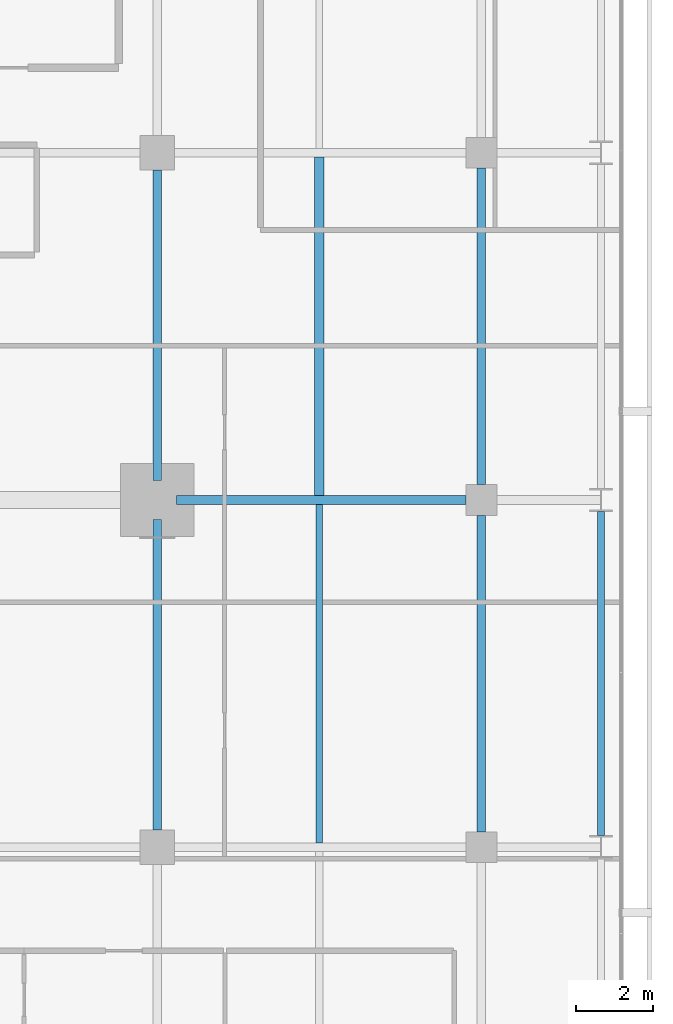
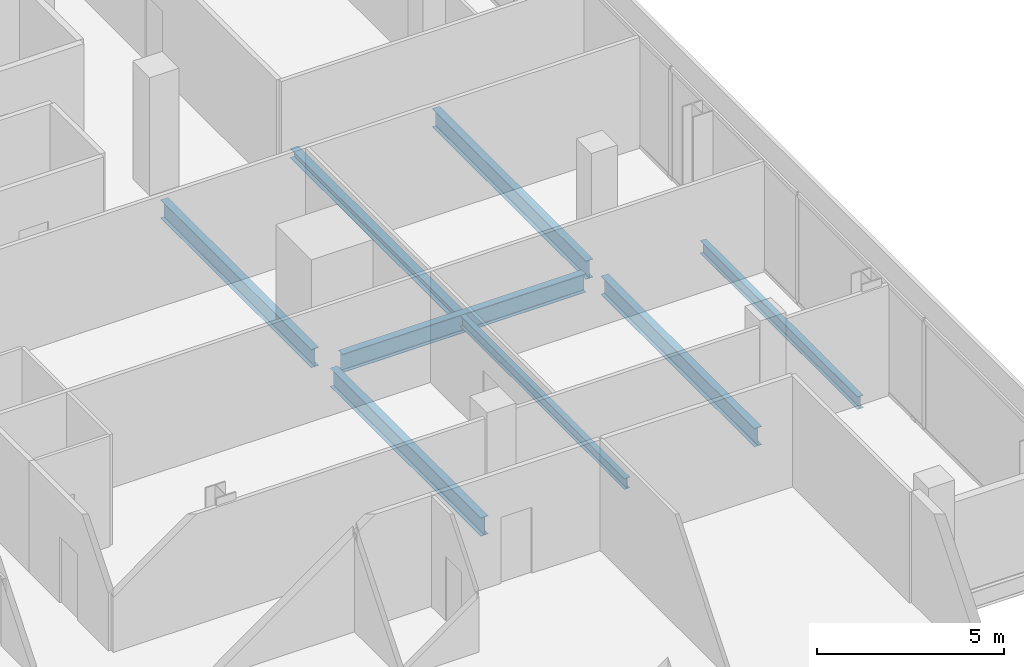
# One storey, part 16 of 32: 8 beams.
"""IFC4 building model written with IfcOpenShell, lengths in metres."""

from ifc_helpers import new_model, si_unit, direction, frame, origin, origin_2d, place, context, subcontext, project, spatial, i_section, extrude, material, material_profile, profile_set, type_object, element, save


model = new_model("IFC4")

# Units and contexts
model_context = context("Model", 3, precision=1e-05, world=origin(), true_north=direction((0.0, 1.0)))
body_context = subcontext(model_context, "Body", "Model", "MODEL_VIEW")
ifc_project = project(units=[si_unit("LENGTHUNIT", "METRE"), si_unit("AREAUNIT", "SQUARE_METRE"), si_unit("VOLUMEUNIT", "CUBIC_METRE"), si_unit("PLANEANGLEUNIT", "RADIAN"), si_unit("MASSUNIT", "GRAM", prefix="KILO")], contexts=[model_context])

# Site, building, storey
site_placement = place(None, origin())
site = spatial("IfcSite", under=ifc_project, at=site_placement, CompositionType="ELEMENT")
building_placement = place(site_placement, origin())
building = spatial("IfcBuilding", under=site, at=building_placement, Name="Maruvema Waterfront Hotel and Observation Tower", CompositionType="ELEMENT")
storey_placement = place(building_placement, frame((0.0, 0.0, 165.89990234375)))
storey = spatial("IfcBuildingStorey", under=building, at=storey_placement, Name="L40", CompositionType="ELEMENT", Elevation=165.89990234375)

# Beams
ifc_material_1 = material(Name="Steel ASTM A572 Grade 50", Category="steel")
ifc_material_profile_1 = material_profile(ifc_material_1, i_section(OverallWidth=0.180908203125, OverallDepth=0.4169921875, WebThickness=0.010986328125, FlangeThickness=0.018310546875, FilletRadius=0.014892578125, at=origin_2d()), Name="W410x85.0")
ifc_profile_set_1 = profile_set([ifc_material_profile_1], Name="Steel ASTM A572 Grade 50")
beam_type_1 = type_object("IfcBeamType", Name="Perimeter Spandrel Beam W410x85.0", PredefinedType="SPANDREL", material=ifc_profile_set_1)
beam_1_placement = place(storey_placement, frame((61.89990234375, 18.300048828125, -0.448486328125), z_axis=(0.0, 1.0, 0.0), x_axis=(-1.0, 0.0, 0.0)))
element("IfcBeam", 1, at=beam_1_placement, inside=storey, type_object=beam_type_1, Name="L40 Floor Girder NS-30", PredefinedType="SPANDREL", context=body_context, shape_type="SweptSolid", body=[
    extrude(i_section(OverallWidth=0.180908203125, OverallDepth=0.4169921875, WebThickness=0.010986328125, FlangeThickness=0.018310546875, FilletRadius=0.014892578125, at=origin_2d()), origin(), (0.0, 0.0, 1.0), 8.39990234375),
])
ifc_material_2 = material(Name="Steel ASTM A572 Grade 50", Category="steel")
ifc_material_profile_2 = material_profile(ifc_material_2, i_section(OverallWidth=0.22802734375, OverallDepth=0.60302734375, WebThickness=0.010498046875, FlangeThickness=0.014892578125, FilletRadius=0.01806640625, at=origin_2d()), Name="W610x101.0")
ifc_profile_set_2 = profile_set([ifc_material_profile_2], Name="Steel ASTM A572 Grade 50")
beam_type_2 = type_object("IfcBeamType", Name="Primary Floor Girder W610x101.0", PredefinedType="BEAM", material=ifc_profile_set_2)
beam_2_placement = place(storey_placement, frame((50.89990234375, 27.0, -0.54150390625), z_axis=(1.0, 0.0, 0.0), x_axis=(0.0, 1.0, 0.0)))
element("IfcBeam", 2, at=beam_2_placement, inside=storey, type_object=beam_type_2, Name="L40 Floor Girder EW-21", PredefinedType="BEAM", context=body_context, shape_type="SweptSolid", body=[
    extrude(i_section(OverallWidth=0.22802734375, OverallDepth=0.60302734375, WebThickness=0.010498046875, FlangeThickness=0.014892578125, FilletRadius=0.01806640625, at=origin_2d()), origin(), (0.0, 0.0, 1.0), 7.5),
])
for number, where, z_axis, x_axis, name in (
    (3, (50.39990234375, 18.449951171875, -0.54150390625), (0.0, 1.0, 0.0), (-1.0, 0.0, 0.0), "L40 Floor Girder NS-22"),
    (4, (50.39990234375, 27.5, -0.54150390625), (0.0, 1.0, 0.0), (-1.0, 0.0, 0.0), "L40 Floor Girder NS-23"),
):
    element("IfcBeam", number, at=place(storey_placement, frame(where, z_axis=z_axis, x_axis=x_axis)), inside=storey, type_object=beam_type_2, Name=name, PredefinedType="BEAM", context=body_context, shape_type="SweptSolid", body=[
        extrude(i_section(OverallWidth=0.22802734375, OverallDepth=0.60302734375, WebThickness=0.010498046875, FlangeThickness=0.014892578125, FilletRadius=0.01806640625, at=origin_2d()), origin(), (0.0, 0.0, 1.0), 8.050048828125),
    ])
for number, where, z_axis, x_axis, name in (
    (5, (58.800048828125, 18.39990234375, -0.54150390625), (0.0, 1.0, 0.0), (-1.0, 0.0, 0.0), "L40 Floor Girder NS-26"),
    (6, (58.800048828125, 27.39990234375, -0.54150390625), (0.0, 1.0, 0.0), (-1.0, 0.0, 0.0), "L40 Floor Girder NS-27"),
):
    element("IfcBeam", number, at=place(storey_placement, frame(where, z_axis=z_axis, x_axis=x_axis)), inside=storey, type_object=beam_type_2, Name=name, PredefinedType="BEAM", context=body_context, shape_type="SweptSolid", body=[
        extrude(i_section(OverallWidth=0.22802734375, OverallDepth=0.60302734375, WebThickness=0.010498046875, FlangeThickness=0.014892578125, FilletRadius=0.01806640625, at=origin_2d()), origin(), (0.0, 0.0, 1.0), 8.2001953125),
    ])
ifc_material_3 = material(Name="Steel ASTM A572 Grade 50", Category="steel")
ifc_material_profile_3 = material_profile(ifc_material_3, i_section(OverallWidth=0.25390625, OverallDepth=0.305908203125, WebThickness=0.0087890625, FlangeThickness=0.0146484375, FilletRadius=0.014892578125, at=origin_2d()), Name="W310x79.0")
ifc_profile_set_3 = profile_set([ifc_material_profile_3], Name="Steel ASTM A572 Grade 50")
beam_type_3 = type_object("IfcBeamType", Name="Secondary Floor Joist W310x79.0", PredefinedType="JOIST", material=ifc_profile_set_3)
beam_3_placement = place(storey_placement, frame((54.60009765625, 27.114013671875, -0.392822265625), z_axis=(0.0, 1.0, 0.0), x_axis=(-1.0, 0.0, 0.0)))
element("IfcBeam", 7, at=beam_3_placement, inside=storey, type_object=beam_type_3, Name="L40 Secondary Floor Joist JS-13", PredefinedType="JOIST", context=body_context, shape_type="SweptSolid", body=[
    extrude(i_section(OverallWidth=0.25390625, OverallDepth=0.305908203125, WebThickness=0.0087890625, FlangeThickness=0.0146484375, FilletRadius=0.014892578125, at=origin_2d()), origin(), (0.0, 0.0, 1.0), 8.77197265625),
])
ifc_material_4 = material(Name="Steel ASTM A572 Grade 50", Category="steel")
ifc_material_profile_4 = material_profile(ifc_material_4, i_section(OverallWidth=0.1708984375, OverallDepth=0.35498046875, WebThickness=0.007080078125, FlangeThickness=0.01171875, FilletRadius=0.014892578125, at=origin_2d()), Name="W360x51.0")
ifc_profile_set_4 = profile_set([ifc_material_profile_4], Name="Steel ASTM A572 Grade 50")
beam_type_4 = type_object("IfcBeamType", Name="Secondary Floor Joist W360x51.0", PredefinedType="JOIST", material=ifc_profile_set_4)
beam_4_placement = place(storey_placement, frame((54.60009765625, 18.114013671875, -0.41748046875), z_axis=(0.0, 1.0, 0.0), x_axis=(-1.0, 0.0, 0.0)))
element("IfcBeam", 8, at=beam_4_placement, inside=storey, type_object=beam_type_4, Name="L40 Secondary Floor Joist JS-12", PredefinedType="JOIST", context=body_context, shape_type="SweptSolid", body=[
    extrude(i_section(OverallWidth=0.1708984375, OverallDepth=0.35498046875, WebThickness=0.007080078125, FlangeThickness=0.01171875, FilletRadius=0.014892578125, at=origin_2d()), origin(), (0.0, 0.0, 1.0), 8.77197265625),
])

save(model, "model.ifc")
